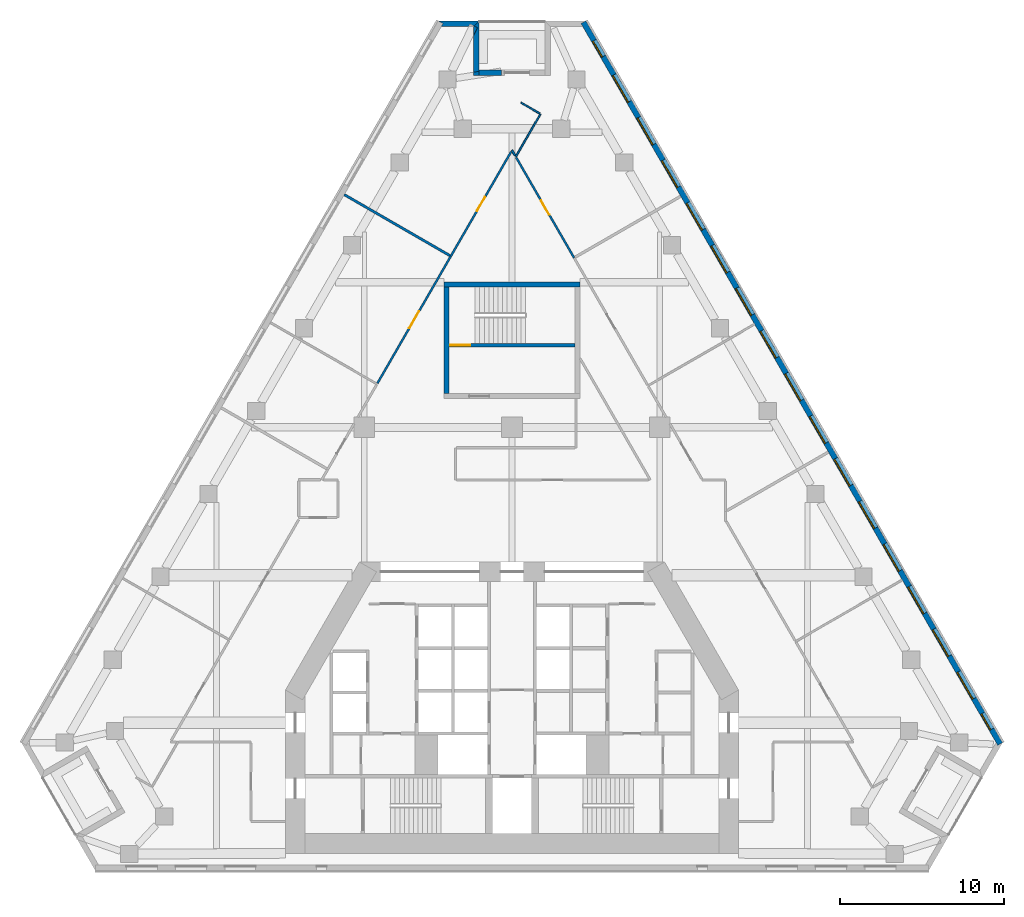
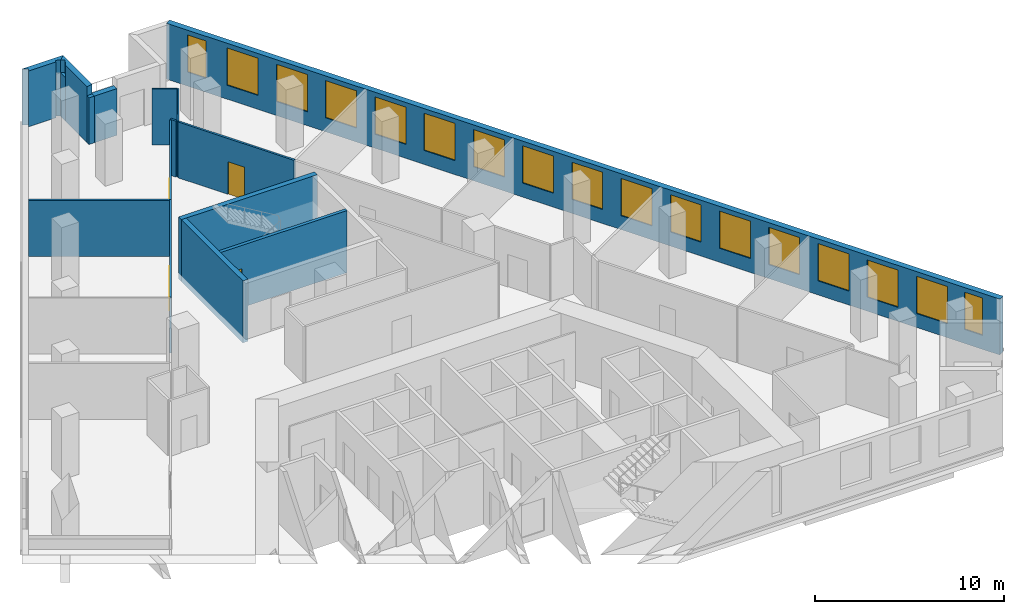
# One storey, part 8 of 10: 17 windows, 16 walls, 4 doors, 21 openings.
"""IFC4 building model written with IfcOpenShell, lengths in metres."""

from ifc_helpers import new_model, si_unit, direction, frame, frame_2d, origin, place, context, subcontext, project, spatial, polyline, rectangle, outline, extrude, material, layer, layer_set, type_object, element, fill, save


model = new_model("IFC4")

# Units and contexts
model_context = context("Model", 3, precision=1e-05, world=origin(), true_north=direction((0.0, 1.0)))
body_context = subcontext(model_context, "Body", "Model", "MODEL_VIEW")
ifc_project = project(units=[si_unit("LENGTHUNIT", "METRE"), si_unit("AREAUNIT", "SQUARE_METRE"), si_unit("VOLUMEUNIT", "CUBIC_METRE"), si_unit("PLANEANGLEUNIT", "RADIAN"), si_unit("MASSUNIT", "GRAM", prefix="KILO")], contexts=[model_context])

# Site, building, storey
site_placement = place(None, origin())
site = spatial("IfcSite", under=ifc_project, at=site_placement, CompositionType="ELEMENT")
building_placement = place(site_placement, origin())
building = spatial("IfcBuilding", under=site, at=building_placement, Name="Fogline Exchange Tower", CompositionType="ELEMENT")
storey_placement = place(building_placement, frame((0.0, 0.0, 124.10009765625)))
storey = spatial("IfcBuildingStorey", under=building, at=storey_placement, Name="L27", CompositionType="ELEMENT", Elevation=124.10009765625)

# Wall, opening, door
ifc_material_1 = material(Name="Concrete C40", Category="concrete")
ifc_layer_1 = layer(ifc_material_1, 0.199951171875)
ifc_layer_set_1 = layer_set([ifc_layer_1], Name="CW20R")
wall_type_1 = type_object("IfcWallType", Name="CW20R", PredefinedType="SOLIDWALL", material=ifc_layer_set_1)
wall_1_placement = place(storey_placement, frame((-3.85009765625, 32.007080078125, -0.400146484375), z_axis=(0.0, 0.0, 1.0), x_axis=(1.0, 0.0, 0.0)))
wall_1 = element("IfcWall", 1, at=wall_1_placement, inside=storey, type_object=wall_type_1, Name="Stair enclosure wall ST3", PredefinedType="SOLIDWALL", context=body_context, shape_type="SweptSolid", body=[
    extrude(rectangle(XDim=7.7001953125, YDim=0.199951171875, at=frame_2d((3.85009765625, 0.0))), origin(), (0.0, 0.0, 1.0), 4.0),
])
opening_1_placement = place(wall_1_placement, frame((0.10009765625, 0.0, 0.39990234375)))
opening_1 = element("IfcOpeningElement", 2, at=opening_1_placement, cuts=wall_1, Name="Opening T08-C024", PredefinedType="OPENING", context=body_context, shape_type="SweptSolid", body=[
    extrude(rectangle(XDim=1.199951171875, YDim=2.10009765625, at=frame_2d((0.60009765625, 1.050048828125))), frame((0.0, 0.10986328125, 0.0), z_axis=(0.0, -1.0, 0.0), x_axis=(1.0, 0.0, 0.0)), (0.0, 0.0, 1.0), 0.219970703125),
])
ifc_material_2 = material(Name="Steel and timber fire door", Category="steel")
door_type_1 = type_object("IfcDoorType", Name="D-ST1", OperationType="SINGLE_SWING_LEFT", PredefinedType="DOOR", material=ifc_material_2)
door_1_placement = place(opening_1_placement, origin())
door_1 = element("IfcDoor", 3, at=door_1_placement, inside=storey, type_object=door_type_1, Name="Stair door ST3", OperationType="SINGLE_SWING_LEFT", OverallHeight=2.10009765625, OverallWidth=1.199951171875, PredefinedType="DOOR", context=body_context, shape_type="SweptSolid", body=[
    extrude(rectangle(XDim=1.199951171875, YDim=2.10009765625, at=frame_2d((0.60009765625, 1.050048828125))), frame((0.0, 0.02490234375, 0.0), z_axis=(0.0, -1.0, 0.0), x_axis=(1.0, 0.0, 0.0)), (0.0, 0.0, 1.0), 0.050048828125),
])
fill(opening_1, door_1)

# Walls
ifc_layer_2 = layer(ifc_material_1, 0.300048828125)
ifc_layer_set_2 = layer_set([ifc_layer_2], Name="CW30")
wall_type_2 = type_object("IfcWallType", Name="CW30", PredefinedType="SOLIDWALL", material=ifc_layer_set_2)
wall_2_placement = place(storey_placement, frame((-4.14990234375, 35.70703125, -0.400146484375), z_axis=(0.0, 0.0, 1.0), x_axis=(1.0, 0.0, 0.0)))
element("IfcWall", 4, at=wall_2_placement, inside=storey, type_object=wall_type_2, Name="Stair enclosure wall ST3", PredefinedType="SOLIDWALL", context=body_context, shape_type="SweptSolid", body=[
    extrude(rectangle(XDim=8.2998046875, YDim=0.300048828125, at=frame_2d((4.14990234375, 0.0))), origin(), (0.0, 0.0, 1.0), 4.0),
])
wall_3_placement = place(storey_placement, frame((-4.0, 29.056884765625, -0.400146484375), z_axis=(0.0, 0.0, 1.0), x_axis=(0.0, 1.0, 0.0)))
element("IfcWall", 5, at=wall_3_placement, inside=storey, type_object=wall_type_2, Name="Stair enclosure wall ST3", PredefinedType="SOLIDWALL", context=body_context, shape_type="SweptSolid", body=[
    extrude(rectangle(XDim=6.5, YDim=0.300048828125, at=frame_2d((3.25, 0.0))), origin(), (0.0, 0.0, 1.0), 4.0),
])

# Wall, openings, windows
ifc_material_3 = material(Name="Brick masonry", Category="masonry")
ifc_layer_3 = layer(ifc_material_3, 0.340087890625)
ifc_layer_set_3 = layer_set([ifc_layer_3], Name="FW1")
wall_type_3 = type_object("IfcWallType", Name="FW1", PredefinedType="SOLIDWALL", material=ifc_layer_set_3)
wall_4_placement = place(storey_placement, frame((29.74609375, 7.709228515625, 0.0), z_axis=(0.0, 0.0, 1.0), x_axis=(-0.500000700546, 0.866024999324, 0.0)))
wall_4 = element("IfcWall", 6, at=wall_4_placement, inside=storey, type_object=wall_type_3, Name="Brick wall L27 E", PredefinedType="SOLIDWALL", context=body_context, shape_type="SweptSolid", body=[
    extrude(rectangle(XDim=50.78662109375, YDim=0.340087890625, at=frame_2d((25.393310546875, 0.0))), origin(), (0.0, 0.0, 1.0), 3.599853515625),
])
opening_2_placement = place(wall_4_placement, frame((3.196533203125, 0.0, 0.89990234375)))
opening_2 = element("IfcOpeningElement", 7, at=opening_2_placement, cuts=wall_4, Name="Opening W1", PredefinedType="OPENING", context=body_context, shape_type="SweptSolid", body=[
    extrude(rectangle(XDim=1.885009765625, YDim=2.39990234375, at=frame_2d((0.9423828125, 1.199951171875))), frame((0.0, 0.18017578125, 0.0), z_axis=(0.0, -1.0, 0.0), x_axis=(1.0, 0.0, 0.0)), (0.0, 0.0, 1.0), 0.360107421875),
])
opening_3_placement = place(wall_4_placement, frame((6.196533203125, 0.0, 0.89990234375)))
opening_3 = element("IfcOpeningElement", 8, at=opening_3_placement, cuts=wall_4, Name="Opening W1", PredefinedType="OPENING", context=body_context, shape_type="SweptSolid", body=[
    extrude(rectangle(XDim=1.885009765625, YDim=2.39990234375, at=frame_2d((0.9423828125, 1.199951171875))), frame((0.0, 0.18017578125, 0.0), z_axis=(0.0, -1.0, 0.0), x_axis=(1.0, 0.0, 0.0)), (0.0, 0.0, 1.0), 0.360107421875),
])
opening_4_placement = place(wall_4_placement, frame((9.196533203125, 0.0, 0.89990234375)))
opening_4 = element("IfcOpeningElement", 9, at=opening_4_placement, cuts=wall_4, Name="Opening W1", PredefinedType="OPENING", context=body_context, shape_type="SweptSolid", body=[
    extrude(rectangle(XDim=1.885009765625, YDim=2.39990234375, at=frame_2d((0.9423828125, 1.199951171875))), frame((0.0, 0.18017578125, 0.0), z_axis=(0.0, -1.0, 0.0), x_axis=(1.0, 0.0, 0.0)), (0.0, 0.0, 1.0), 0.360107421875),
])
opening_5_placement = place(wall_4_placement, frame((12.196533203125, 0.0, 0.89990234375)))
opening_5 = element("IfcOpeningElement", 10, at=opening_5_placement, cuts=wall_4, Name="Opening W1", PredefinedType="OPENING", context=body_context, shape_type="SweptSolid", body=[
    extrude(rectangle(XDim=1.885009765625, YDim=2.39990234375, at=frame_2d((0.9423828125, 1.199951171875))), frame((0.0, 0.18017578125, 0.0), z_axis=(0.0, -1.0, 0.0), x_axis=(1.0, 0.0, 0.0)), (0.0, 0.0, 1.0), 0.360107421875),
])
opening_6_placement = place(wall_4_placement, frame((15.196533203125, 0.0, 0.89990234375)))
opening_6 = element("IfcOpeningElement", 11, at=opening_6_placement, cuts=wall_4, Name="Opening W1", PredefinedType="OPENING", context=body_context, shape_type="SweptSolid", body=[
    extrude(rectangle(XDim=1.885009765625, YDim=2.39990234375, at=frame_2d((0.9423828125, 1.199951171875))), frame((0.0, 0.18017578125, 0.0), z_axis=(0.0, -1.0, 0.0), x_axis=(1.0, 0.0, 0.0)), (0.0, 0.0, 1.0), 0.360107421875),
])
opening_7_placement = place(wall_4_placement, frame((18.196533203125, 0.0, 0.89990234375)))
opening_7 = element("IfcOpeningElement", 12, at=opening_7_placement, cuts=wall_4, Name="Opening W1", PredefinedType="OPENING", context=body_context, shape_type="SweptSolid", body=[
    extrude(rectangle(XDim=1.885009765625, YDim=2.39990234375, at=frame_2d((0.9423828125, 1.199951171875))), frame((0.0, 0.18017578125, 0.0), z_axis=(0.0, -1.0, 0.0), x_axis=(1.0, 0.0, 0.0)), (0.0, 0.0, 1.0), 0.360107421875),
])
opening_8_placement = place(wall_4_placement, frame((21.196533203125, 0.0, 0.89990234375)))
opening_8 = element("IfcOpeningElement", 13, at=opening_8_placement, cuts=wall_4, Name="Opening W1", PredefinedType="OPENING", context=body_context, shape_type="SweptSolid", body=[
    extrude(rectangle(XDim=1.885009765625, YDim=2.39990234375, at=frame_2d((0.9423828125, 1.199951171875))), frame((0.0, 0.18017578125, 0.0), z_axis=(0.0, -1.0, 0.0), x_axis=(1.0, 0.0, 0.0)), (0.0, 0.0, 1.0), 0.360107421875),
])
opening_9_placement = place(wall_4_placement, frame((24.196533203125, 0.0, 0.89990234375)))
opening_9 = element("IfcOpeningElement", 14, at=opening_9_placement, cuts=wall_4, Name="Opening W1", PredefinedType="OPENING", context=body_context, shape_type="SweptSolid", body=[
    extrude(rectangle(XDim=1.885009765625, YDim=2.39990234375, at=frame_2d((0.9423828125, 1.199951171875))), frame((0.0, 0.18017578125, 0.0), z_axis=(0.0, -1.0, 0.0), x_axis=(1.0, 0.0, 0.0)), (0.0, 0.0, 1.0), 0.360107421875),
])
opening_10_placement = place(wall_4_placement, frame((27.196533203125, 0.0, 0.89990234375)))
opening_10 = element("IfcOpeningElement", 15, at=opening_10_placement, cuts=wall_4, Name="Opening W1", PredefinedType="OPENING", context=body_context, shape_type="SweptSolid", body=[
    extrude(rectangle(XDim=1.885009765625, YDim=2.39990234375, at=frame_2d((0.9423828125, 1.199951171875))), frame((0.0, 0.18017578125, 0.0), z_axis=(0.0, -1.0, 0.0), x_axis=(1.0, 0.0, 0.0)), (0.0, 0.0, 1.0), 0.360107421875),
])
opening_11_placement = place(wall_4_placement, frame((30.196533203125, 0.0, 0.89990234375)))
opening_11 = element("IfcOpeningElement", 16, at=opening_11_placement, cuts=wall_4, Name="Opening W1", PredefinedType="OPENING", context=body_context, shape_type="SweptSolid", body=[
    extrude(rectangle(XDim=1.885009765625, YDim=2.39990234375, at=frame_2d((0.9423828125, 1.199951171875))), frame((0.0, 0.18017578125, 0.0), z_axis=(0.0, -1.0, 0.0), x_axis=(1.0, 0.0, 0.0)), (0.0, 0.0, 1.0), 0.360107421875),
])
opening_12_placement = place(wall_4_placement, frame((33.196533203125, 0.0, 0.89990234375)))
opening_12 = element("IfcOpeningElement", 17, at=opening_12_placement, cuts=wall_4, Name="Opening W1", PredefinedType="OPENING", context=body_context, shape_type="SweptSolid", body=[
    extrude(rectangle(XDim=1.885009765625, YDim=2.39990234375, at=frame_2d((0.9423828125, 1.199951171875))), frame((0.0, 0.18017578125, 0.0), z_axis=(0.0, -1.0, 0.0), x_axis=(1.0, 0.0, 0.0)), (0.0, 0.0, 1.0), 0.360107421875),
])
opening_13_placement = place(wall_4_placement, frame((36.196533203125, 0.0, 0.89990234375)))
opening_13 = element("IfcOpeningElement", 18, at=opening_13_placement, cuts=wall_4, Name="Opening W1", PredefinedType="OPENING", context=body_context, shape_type="SweptSolid", body=[
    extrude(rectangle(XDim=1.885009765625, YDim=2.39990234375, at=frame_2d((0.9423828125, 1.199951171875))), frame((0.0, 0.18017578125, 0.0), z_axis=(0.0, -1.0, 0.0), x_axis=(1.0, 0.0, 0.0)), (0.0, 0.0, 1.0), 0.360107421875),
])
opening_14_placement = place(wall_4_placement, frame((39.196533203125, 0.0, 0.89990234375)))
opening_14 = element("IfcOpeningElement", 19, at=opening_14_placement, cuts=wall_4, Name="Opening W1", PredefinedType="OPENING", context=body_context, shape_type="SweptSolid", body=[
    extrude(rectangle(XDim=1.885009765625, YDim=2.39990234375, at=frame_2d((0.9423828125, 1.199951171875))), frame((0.0, 0.18017578125, 0.0), z_axis=(0.0, -1.0, 0.0), x_axis=(1.0, 0.0, 0.0)), (0.0, 0.0, 1.0), 0.360107421875),
])
opening_15_placement = place(wall_4_placement, frame((42.196533203125, 0.0, 0.89990234375)))
opening_15 = element("IfcOpeningElement", 20, at=opening_15_placement, cuts=wall_4, Name="Opening W1", PredefinedType="OPENING", context=body_context, shape_type="SweptSolid", body=[
    extrude(rectangle(XDim=1.885009765625, YDim=2.39990234375, at=frame_2d((0.9423828125, 1.199951171875))), frame((0.0, 0.18017578125, 0.0), z_axis=(0.0, -1.0, 0.0), x_axis=(1.0, 0.0, 0.0)), (0.0, 0.0, 1.0), 0.360107421875),
])
opening_16_placement = place(wall_4_placement, frame((45.196533203125, 0.0, 0.89990234375)))
opening_16 = element("IfcOpeningElement", 21, at=opening_16_placement, cuts=wall_4, Name="Opening W1", PredefinedType="OPENING", context=body_context, shape_type="SweptSolid", body=[
    extrude(rectangle(XDim=1.885009765625, YDim=2.39990234375, at=frame_2d((0.9423828125, 1.199951171875))), frame((0.0, 0.18017578125, 0.0), z_axis=(0.0, -1.0, 0.0), x_axis=(1.0, 0.0, 0.0)), (0.0, 0.0, 1.0), 0.360107421875),
])
opening_17_placement = place(wall_4_placement, frame((1.040771484375, 0.0, 0.89990234375)))
opening_17 = element("IfcOpeningElement", 22, at=opening_17_placement, cuts=wall_4, Name="Opening W4", PredefinedType="OPENING", context=body_context, shape_type="SweptSolid", body=[
    extrude(rectangle(XDim=1.114990234375, YDim=2.39990234375, at=frame_2d((0.5576171875, 1.199951171875))), frame((0.0, 0.18017578125, 0.0), z_axis=(0.0, -1.0, 0.0), x_axis=(1.0, 0.0, 0.0)), (0.0, 0.0, 1.0), 0.360107421875),
])
opening_18_placement = place(wall_4_placement, frame((48.37646484375, 0.0, 0.89990234375)))
opening_18 = element("IfcOpeningElement", 23, at=opening_18_placement, cuts=wall_4, Name="Opening W4", PredefinedType="OPENING", context=body_context, shape_type="SweptSolid", body=[
    extrude(rectangle(XDim=1.114990234375, YDim=2.39990234375, at=frame_2d((0.5576171875, 1.199951171875))), frame((0.0, 0.18017578125, 0.0), z_axis=(0.0, -1.0, 0.0), x_axis=(1.0, 0.0, 0.0)), (0.0, 0.0, 1.0), 0.360107421875),
])
ifc_material_4 = material(Name="Aluminium and glass", Category="aluminium")
window_type_1 = type_object("IfcWindowType", Name="W1", PartitioningType="SINGLE_PANEL", PredefinedType="WINDOW", material=ifc_material_4)
window_1_placement = place(opening_2_placement, origin())
window_1 = element("IfcWindow", 24, at=window_1_placement, inside=storey, type_object=window_type_1, Name="W1 W1", OverallHeight=2.39990234375, OverallWidth=1.885009765625, PartitioningType="SINGLE_PANEL", PredefinedType="WINDOW", context=body_context, shape_type="SweptSolid", body=[
    extrude(rectangle(XDim=1.885009765625, YDim=2.39990234375, at=frame_2d((0.9423828125, 1.199951171875))), frame((0.0, 0.110107421875, 0.0), z_axis=(0.0, -1.0, 0.0), x_axis=(1.0, 0.0, 0.0)), (0.0, 0.0, 1.0), 0.06005859375),
])
fill(opening_2, window_1)
window_2_placement = place(opening_3_placement, origin())
window_2 = element("IfcWindow", 25, at=window_2_placement, inside=storey, type_object=window_type_1, Name="W1 W1", OverallHeight=2.39990234375, OverallWidth=1.885009765625, PartitioningType="SINGLE_PANEL", PredefinedType="WINDOW", context=body_context, shape_type="SweptSolid", body=[
    extrude(rectangle(XDim=1.885009765625, YDim=2.39990234375, at=frame_2d((0.9423828125, 1.199951171875))), frame((0.0, 0.110107421875, 0.0), z_axis=(0.0, -1.0, 0.0), x_axis=(1.0, 0.0, 0.0)), (0.0, 0.0, 1.0), 0.06005859375),
])
fill(opening_3, window_2)
window_3_placement = place(opening_4_placement, origin())
window_3 = element("IfcWindow", 26, at=window_3_placement, inside=storey, type_object=window_type_1, Name="W1 W1", OverallHeight=2.39990234375, OverallWidth=1.885009765625, PartitioningType="SINGLE_PANEL", PredefinedType="WINDOW", context=body_context, shape_type="SweptSolid", body=[
    extrude(rectangle(XDim=1.885009765625, YDim=2.39990234375, at=frame_2d((0.9423828125, 1.199951171875))), frame((0.0, 0.110107421875, 0.0), z_axis=(0.0, -1.0, 0.0), x_axis=(1.0, 0.0, 0.0)), (0.0, 0.0, 1.0), 0.06005859375),
])
fill(opening_4, window_3)
window_4_placement = place(opening_5_placement, origin())
window_4 = element("IfcWindow", 27, at=window_4_placement, inside=storey, type_object=window_type_1, Name="W1 W1", OverallHeight=2.39990234375, OverallWidth=1.885009765625, PartitioningType="SINGLE_PANEL", PredefinedType="WINDOW", context=body_context, shape_type="SweptSolid", body=[
    extrude(rectangle(XDim=1.885009765625, YDim=2.39990234375, at=frame_2d((0.9423828125, 1.199951171875))), frame((0.0, 0.110107421875, 0.0), z_axis=(0.0, -1.0, 0.0), x_axis=(1.0, 0.0, 0.0)), (0.0, 0.0, 1.0), 0.06005859375),
])
fill(opening_5, window_4)
window_5_placement = place(opening_6_placement, origin())
window_5 = element("IfcWindow", 28, at=window_5_placement, inside=storey, type_object=window_type_1, Name="W1 W1", OverallHeight=2.39990234375, OverallWidth=1.885009765625, PartitioningType="SINGLE_PANEL", PredefinedType="WINDOW", context=body_context, shape_type="SweptSolid", body=[
    extrude(rectangle(XDim=1.885009765625, YDim=2.39990234375, at=frame_2d((0.9423828125, 1.199951171875))), frame((0.0, 0.110107421875, 0.0), z_axis=(0.0, -1.0, 0.0), x_axis=(1.0, 0.0, 0.0)), (0.0, 0.0, 1.0), 0.06005859375),
])
fill(opening_6, window_5)
window_6_placement = place(opening_7_placement, origin())
window_6 = element("IfcWindow", 29, at=window_6_placement, inside=storey, type_object=window_type_1, Name="W1 W1", OverallHeight=2.39990234375, OverallWidth=1.885009765625, PartitioningType="SINGLE_PANEL", PredefinedType="WINDOW", context=body_context, shape_type="SweptSolid", body=[
    extrude(rectangle(XDim=1.885009765625, YDim=2.39990234375, at=frame_2d((0.9423828125, 1.199951171875))), frame((0.0, 0.110107421875, 0.0), z_axis=(0.0, -1.0, 0.0), x_axis=(1.0, 0.0, 0.0)), (0.0, 0.0, 1.0), 0.06005859375),
])
fill(opening_7, window_6)
window_7_placement = place(opening_8_placement, origin())
window_7 = element("IfcWindow", 30, at=window_7_placement, inside=storey, type_object=window_type_1, Name="W1 W1", OverallHeight=2.39990234375, OverallWidth=1.885009765625, PartitioningType="SINGLE_PANEL", PredefinedType="WINDOW", context=body_context, shape_type="SweptSolid", body=[
    extrude(rectangle(XDim=1.885009765625, YDim=2.39990234375, at=frame_2d((0.9423828125, 1.199951171875))), frame((0.0, 0.110107421875, 0.0), z_axis=(0.0, -1.0, 0.0), x_axis=(1.0, 0.0, 0.0)), (0.0, 0.0, 1.0), 0.06005859375),
])
fill(opening_8, window_7)
window_8_placement = place(opening_9_placement, origin())
window_8 = element("IfcWindow", 31, at=window_8_placement, inside=storey, type_object=window_type_1, Name="W1 W1", OverallHeight=2.39990234375, OverallWidth=1.885009765625, PartitioningType="SINGLE_PANEL", PredefinedType="WINDOW", context=body_context, shape_type="SweptSolid", body=[
    extrude(rectangle(XDim=1.885009765625, YDim=2.39990234375, at=frame_2d((0.9423828125, 1.199951171875))), frame((0.0, 0.110107421875, 0.0), z_axis=(0.0, -1.0, 0.0), x_axis=(1.0, 0.0, 0.0)), (0.0, 0.0, 1.0), 0.06005859375),
])
fill(opening_9, window_8)
window_9_placement = place(opening_10_placement, origin())
window_9 = element("IfcWindow", 32, at=window_9_placement, inside=storey, type_object=window_type_1, Name="W1 W1", OverallHeight=2.39990234375, OverallWidth=1.885009765625, PartitioningType="SINGLE_PANEL", PredefinedType="WINDOW", context=body_context, shape_type="SweptSolid", body=[
    extrude(rectangle(XDim=1.885009765625, YDim=2.39990234375, at=frame_2d((0.9423828125, 1.199951171875))), frame((0.0, 0.110107421875, 0.0), z_axis=(0.0, -1.0, 0.0), x_axis=(1.0, 0.0, 0.0)), (0.0, 0.0, 1.0), 0.06005859375),
])
fill(opening_10, window_9)
window_10_placement = place(opening_11_placement, origin())
window_10 = element("IfcWindow", 33, at=window_10_placement, inside=storey, type_object=window_type_1, Name="W1 W1", OverallHeight=2.39990234375, OverallWidth=1.885009765625, PartitioningType="SINGLE_PANEL", PredefinedType="WINDOW", context=body_context, shape_type="SweptSolid", body=[
    extrude(rectangle(XDim=1.885009765625, YDim=2.39990234375, at=frame_2d((0.9423828125, 1.199951171875))), frame((0.0, 0.110107421875, 0.0), z_axis=(0.0, -1.0, 0.0), x_axis=(1.0, 0.0, 0.0)), (0.0, 0.0, 1.0), 0.06005859375),
])
fill(opening_11, window_10)
window_11_placement = place(opening_12_placement, origin())
window_11 = element("IfcWindow", 34, at=window_11_placement, inside=storey, type_object=window_type_1, Name="W1 W1", OverallHeight=2.39990234375, OverallWidth=1.885009765625, PartitioningType="SINGLE_PANEL", PredefinedType="WINDOW", context=body_context, shape_type="SweptSolid", body=[
    extrude(rectangle(XDim=1.885009765625, YDim=2.39990234375, at=frame_2d((0.9423828125, 1.199951171875))), frame((0.0, 0.110107421875, 0.0), z_axis=(0.0, -1.0, 0.0), x_axis=(1.0, 0.0, 0.0)), (0.0, 0.0, 1.0), 0.06005859375),
])
fill(opening_12, window_11)
window_12_placement = place(opening_13_placement, origin())
window_12 = element("IfcWindow", 35, at=window_12_placement, inside=storey, type_object=window_type_1, Name="W1 W1", OverallHeight=2.39990234375, OverallWidth=1.885009765625, PartitioningType="SINGLE_PANEL", PredefinedType="WINDOW", context=body_context, shape_type="SweptSolid", body=[
    extrude(rectangle(XDim=1.885009765625, YDim=2.39990234375, at=frame_2d((0.9423828125, 1.199951171875))), frame((0.0, 0.110107421875, 0.0), z_axis=(0.0, -1.0, 0.0), x_axis=(1.0, 0.0, 0.0)), (0.0, 0.0, 1.0), 0.06005859375),
])
fill(opening_13, window_12)
window_13_placement = place(opening_14_placement, origin())
window_13 = element("IfcWindow", 36, at=window_13_placement, inside=storey, type_object=window_type_1, Name="W1 W1", OverallHeight=2.39990234375, OverallWidth=1.885009765625, PartitioningType="SINGLE_PANEL", PredefinedType="WINDOW", context=body_context, shape_type="SweptSolid", body=[
    extrude(rectangle(XDim=1.885009765625, YDim=2.39990234375, at=frame_2d((0.9423828125, 1.199951171875))), frame((0.0, 0.110107421875, 0.0), z_axis=(0.0, -1.0, 0.0), x_axis=(1.0, 0.0, 0.0)), (0.0, 0.0, 1.0), 0.06005859375),
])
fill(opening_14, window_13)
window_14_placement = place(opening_15_placement, origin())
window_14 = element("IfcWindow", 37, at=window_14_placement, inside=storey, type_object=window_type_1, Name="W1 W1", OverallHeight=2.39990234375, OverallWidth=1.885009765625, PartitioningType="SINGLE_PANEL", PredefinedType="WINDOW", context=body_context, shape_type="SweptSolid", body=[
    extrude(rectangle(XDim=1.885009765625, YDim=2.39990234375, at=frame_2d((0.9423828125, 1.199951171875))), frame((0.0, 0.110107421875, 0.0), z_axis=(0.0, -1.0, 0.0), x_axis=(1.0, 0.0, 0.0)), (0.0, 0.0, 1.0), 0.06005859375),
])
fill(opening_15, window_14)
window_15_placement = place(opening_16_placement, origin())
window_15 = element("IfcWindow", 38, at=window_15_placement, inside=storey, type_object=window_type_1, Name="W1 W1", OverallHeight=2.39990234375, OverallWidth=1.885009765625, PartitioningType="SINGLE_PANEL", PredefinedType="WINDOW", context=body_context, shape_type="SweptSolid", body=[
    extrude(rectangle(XDim=1.885009765625, YDim=2.39990234375, at=frame_2d((0.9423828125, 1.199951171875))), frame((0.0, 0.110107421875, 0.0), z_axis=(0.0, -1.0, 0.0), x_axis=(1.0, 0.0, 0.0)), (0.0, 0.0, 1.0), 0.06005859375),
])
fill(opening_16, window_15)
window_type_2 = type_object("IfcWindowType", Name="W4", PartitioningType="SINGLE_PANEL", PredefinedType="WINDOW", material=ifc_material_4)
window_16_placement = place(opening_17_placement, origin())
window_16 = element("IfcWindow", 39, at=window_16_placement, inside=storey, type_object=window_type_2, Name="W4 W4", OverallHeight=2.39990234375, OverallWidth=1.114990234375, PartitioningType="SINGLE_PANEL", PredefinedType="WINDOW", context=body_context, shape_type="SweptSolid", body=[
    extrude(rectangle(XDim=1.114990234375, YDim=2.39990234375, at=frame_2d((0.5576171875, 1.199951171875))), frame((0.0, 0.110107421875, 0.0), z_axis=(0.0, -1.0, 0.0), x_axis=(1.0, 0.0, 0.0)), (0.0, 0.0, 1.0), 0.06005859375),
])
fill(opening_17, window_16)
window_17_placement = place(opening_18_placement, origin())
window_17 = element("IfcWindow", 40, at=window_17_placement, inside=storey, type_object=window_type_2, Name="W4 W4", OverallHeight=2.39990234375, OverallWidth=1.114990234375, PartitioningType="SINGLE_PANEL", PredefinedType="WINDOW", context=body_context, shape_type="SweptSolid", body=[
    extrude(rectangle(XDim=1.114990234375, YDim=2.39990234375, at=frame_2d((0.5576171875, 1.199951171875))), frame((0.0, 0.110107421875, 0.0), z_axis=(0.0, -1.0, 0.0), x_axis=(1.0, 0.0, 0.0)), (0.0, 0.0, 1.0), 0.06005859375),
])
fill(opening_18, window_17)

# Walls
wall_5_placement = place(storey_placement, frame((-0.64404296875, 48.606689453125, 0.0), z_axis=(0.0, 0.0, 1.0), x_axis=(-1.0, 0.0, 0.0)))
element("IfcWall", 41, at=wall_5_placement, inside=storey, type_object=wall_type_3, Name="Brick wall L27 N-bk", PredefinedType="SOLIDWALL", context=body_context, shape_type="SweptSolid", body=[
    extrude(rectangle(XDim=1.35595703125, YDim=0.340087890625, at=frame_2d((0.677978515625, 0.0))), origin(), (0.0, 0.0, 1.0), 3.0),
])
wall_6_placement = place(storey_placement, origin())
element("IfcWall", 42, at=wall_6_placement, inside=storey, type_object=wall_type_3, Name="Brick wall L27 N-s2", PredefinedType="SOLIDWALL", context=body_context, shape_type="SweptSolid", body=[
    extrude(outline(polyline([(-2.340576171875, 51.43701171875), (-2.320556640625, 51.45703125), (-2.114990234375, 51.357421875), (-2.340576171875, 50.891357421875), (-2.340576171875, 51.43701171875)])), origin(), (0.0, 0.0, 1.0), 2.7998046875),
])
wall_7_placement = place(storey_placement, origin())
element("IfcWall", 43, at=wall_7_placement, inside=storey, type_object=wall_type_3, Name="Brick wall L27 N-s2", PredefinedType="SOLIDWALL", context=body_context, shape_type="SweptSolid", body=[
    extrude(outline(polyline([(-2.340576171875, 48.43603515625), (-2.340576171875, 48.644287109375), (-1.99951171875, 48.697265625), (-1.99951171875, 48.43603515625), (-2.340576171875, 48.43603515625)])), origin(), (0.0, 0.0, 1.0), 3.0),
])
wall_8_placement = place(storey_placement, origin())
element("IfcWall", 44, at=wall_8_placement, inside=storey, type_object=wall_type_3, Name="Brick wall L27 N-s2", PredefinedType="SOLIDWALL", context=body_context, shape_type="SweptSolid", body=[
    extrude(outline(polyline([(-2.340576171875, 50.891357421875), (-2.114990234375, 51.357421875), (-2.320556640625, 51.45703125), (-1.999755859375, 51.77783203125), (-1.99951171875, 51.777587890625), (-1.99951171875, 48.697265625), (-2.340576171875, 48.644287109375), (-2.340576171875, 50.891357421875)])), origin(), (0.0, 0.0, 1.0), 3.599853515625),
])
wall_9_placement = place(storey_placement, origin())
element("IfcWall", 45, at=wall_9_placement, inside=storey, type_object=wall_type_3, Name="Brick wall L27 N-c2", PredefinedType="SOLIDWALL", context=body_context, shape_type="SweptSolid", body=[
    extrude(outline(polyline([(-4.206298828125, 51.6064453125), (-4.501220703125, 51.776611328125), (-4.5009765625, 51.77734375), (-1.9990234375, 51.77734375), (-1.998779296875, 51.77685546875), (-2.3193359375, 51.456298828125), (-2.56494140625, 51.5751953125), (-2.63232421875, 51.43603515625), (-4.3046875, 51.43603515625), (-4.206298828125, 51.6064453125)])), origin(), (0.0, 0.0, 1.0), 3.599853515625),
])
ifc_material_5 = material(Name="Plasterboard partition, 2 layers each side on steel studs", Category="steel")
ifc_layer_4 = layer(ifc_material_5, 0.10009765625)
ifc_layer_set_4 = layer_set([ifc_layer_4], Name="PW1")
wall_type_4 = type_object("IfcWallType", Name="PW1", PredefinedType="PARTITIONING", material=ifc_layer_set_4)
wall_10_placement = place(storey_placement, frame((0.23095703125, 43.490966796875, 0.0), z_axis=(0.0, 0.0, 1.0), x_axis=(0.499979445284, 0.86603727073, 0.0)))
element("IfcWall", 46, at=wall_10_placement, inside=storey, type_object=wall_type_4, Name="wall-L27-W037", PredefinedType="PARTITIONING", context=body_context, shape_type="SweptSolid", body=[
    extrude(rectangle(XDim=3.015380859375, YDim=0.10009765625, at=frame_2d((1.5078125, 0.0))), origin(), (0.0, 0.0, 1.0), 3.599853515625),
])
wall_11_placement = place(storey_placement, frame((1.6953125, 46.127197265625, 0.0), z_axis=(0.0, 0.0, 1.0), x_axis=(-0.866059217203, 0.499941428866, 0.0)))
element("IfcWall", 47, at=wall_11_placement, inside=storey, type_object=wall_type_4, Name="wall-L27-W038", PredefinedType="PARTITIONING", context=body_context, shape_type="SweptSolid", body=[
    extrude(rectangle(XDim=1.319091796875, YDim=0.10009765625, at=frame_2d((0.65966796875, 0.0))), origin(), (0.0, 0.0, 1.0), 3.599853515625),
])

# Wall, opening, door
ifc_material_6 = material(Name="Plasterboard corridor partition with mineral wool, 2 layers each side")
ifc_layer_5 = layer(ifc_material_6, 0.125)
ifc_layer_set_5 = layer_set([ifc_layer_5], Name="PW2")
wall_type_5 = type_object("IfcWallType", Name="PW2", PredefinedType="PARTITIONING", material=ifc_layer_set_5)
wall_12_placement = place(storey_placement, frame((0.252685546875, 43.452880859375, 0.0), z_axis=(0.0, 0.0, 1.0), x_axis=(0.500031657121, -0.866007125766, 0.0)))
wall_12 = element("IfcWall", 48, at=wall_12_placement, inside=storey, type_object=wall_type_5, Name="wall-L27-W015", PredefinedType="PARTITIONING", context=body_context, shape_type="SweptSolid", body=[
    extrude(rectangle(XDim=7.0625, YDim=0.125, at=frame_2d((3.53125, 0.0))), origin(), (0.0, 0.0, 1.0), 3.599853515625),
])
opening_19_placement = place(wall_12_placement, frame((3.03125, 0.0, 0.0)))
opening_19 = element("IfcOpeningElement", 49, at=opening_19_placement, cuts=wall_12, Name="Opening T08-D007", PredefinedType="OPENING", context=body_context, shape_type="SweptSolid", body=[
    extrude(rectangle(XDim=1.0, YDim=2.10009765625, at=frame_2d((0.5, 1.050048828125))), frame((0.0, 0.072509765625, 0.0), z_axis=(0.0, -1.0, 0.0), x_axis=(1.0, 0.0, 0.0)), (0.0, 0.0, 1.0), 0.14501953125),
])
ifc_material_7 = material(Name="Fire-rated timber door leaf with steel frame", Category="steel")
door_type_2 = type_object("IfcDoorType", Name="D3", OperationType="SINGLE_SWING_LEFT", PredefinedType="DOOR", material=ifc_material_7)
door_2_placement = place(opening_19_placement, origin())
door_2 = element("IfcDoor", 50, at=door_2_placement, inside=storey, type_object=door_type_2, Name="door-L27-D007", OperationType="SINGLE_SWING_RIGHT", OverallHeight=2.10009765625, OverallWidth=1.0, PredefinedType="DOOR", context=body_context, shape_type="SweptSolid", body=[
    extrude(rectangle(XDim=1.0, YDim=2.10009765625, at=frame_2d((0.5, 1.050048828125))), frame((0.0, 0.02490234375, 0.0), z_axis=(0.0, -1.0, 0.0), x_axis=(1.0, 0.0, 0.0)), (0.0, 0.0, 1.0), 0.050048828125),
])
fill(opening_19, door_2)

wall_13_placement = place(storey_placement, frame((-3.7265625, 37.436279296875, 0.0), z_axis=(0.0, 0.0, 1.0), x_axis=(0.4999967785, 0.866027263711, 0.0)))
wall_13 = element("IfcWall", 51, at=wall_13_placement, inside=storey, type_object=wall_type_5, Name="wall-L27-W016", PredefinedType="PARTITIONING", context=body_context, shape_type="SweptSolid", body=[
    extrude(rectangle(XDim=7.34423828125, YDim=0.125, at=frame_2d((3.672119140625, 0.0))), origin(), (0.0, 0.0, 1.0), 3.599853515625),
])
opening_20_placement = place(wall_13_placement, frame((3.172119140625, 0.0, 0.0)))
opening_20 = element("IfcOpeningElement", 52, at=opening_20_placement, cuts=wall_13, Name="Opening T08-D008", PredefinedType="OPENING", context=body_context, shape_type="SweptSolid", body=[
    extrude(rectangle(XDim=1.0, YDim=2.10009765625, at=frame_2d((0.5, 1.050048828125))), frame((0.0, 0.072509765625, 0.0), z_axis=(0.0, -1.0, 0.0), x_axis=(1.0, 0.0, 0.0)), (0.0, 0.0, 1.0), 0.14501953125),
])
door_3_placement = place(opening_20_placement, origin())
door_3 = element("IfcDoor", 53, at=door_3_placement, inside=storey, type_object=door_type_2, Name="door-L27-D008", OperationType="SINGLE_SWING_RIGHT", OverallHeight=2.10009765625, OverallWidth=1.0, PredefinedType="DOOR", context=body_context, shape_type="SweptSolid", body=[
    extrude(rectangle(XDim=1.0, YDim=2.10009765625, at=frame_2d((0.5, 1.050048828125))), frame((0.0, 0.02490234375, 0.0), z_axis=(0.0, -1.0, 0.0), x_axis=(1.0, 0.0, 0.0)), (0.0, 0.0, 1.0), 0.050048828125),
])
fill(opening_20, door_3)

# Wall
wall_14_placement = place(storey_placement, frame((0.0, 43.890869140625, 0.0), z_axis=(0.0, 0.0, 1.0), x_axis=(0.50006736263, -0.865986508459, 0.0)))
element("IfcWall", 54, at=wall_14_placement, inside=storey, type_object=wall_type_5, Name="wall-L27-W017", PredefinedType="PARTITIONING", context=body_context, shape_type="SweptSolid", body=[
    extrude(rectangle(XDim=0.36767578125, YDim=0.125, at=frame_2d((0.183837890625, 0.0))), origin(), (0.0, 0.0, 1.0), 3.599853515625),
])

# Wall, opening, door
wall_15_placement = place(storey_placement, frame((-8.201416015625, 29.685791015625, 0.0), z_axis=(0.0, 0.0, 1.0), x_axis=(0.500008968592, 0.866020225704, 0.0)))
wall_15 = element("IfcWall", 55, at=wall_15_placement, inside=storey, type_object=wall_type_5, Name="wall-L27-W018", PredefinedType="PARTITIONING", context=body_context, shape_type="SweptSolid", body=[
    extrude(rectangle(XDim=8.949462890625, YDim=0.125, at=frame_2d((4.474609375, 0.0))), origin(), (0.0, 0.0, 1.0), 3.599853515625),
])
opening_21_placement = place(wall_15_placement, frame((3.874755859375, 0.0, 0.0)))
opening_21 = element("IfcOpeningElement", 56, at=opening_21_placement, cuts=wall_15, Name="Opening T08-D009", PredefinedType="OPENING", context=body_context, shape_type="SweptSolid", body=[
    extrude(rectangle(XDim=1.199951171875, YDim=2.10009765625, at=frame_2d((0.60009765625, 1.050048828125))), frame((0.0, 0.072509765625, 0.0), z_axis=(0.0, -1.0, 0.0), x_axis=(1.0, 0.0, 0.0)), (0.0, 0.0, 1.0), 0.14501953125),
])
ifc_material_8 = material(Name="Fire-rated glazed door leaf with steel frame", Category="steel")
door_type_3 = type_object("IfcDoorType", Name="D5", OperationType="SINGLE_SWING_LEFT", PredefinedType="DOOR", material=ifc_material_8)
door_4_placement = place(opening_21_placement, origin())
door_4 = element("IfcDoor", 57, at=door_4_placement, inside=storey, type_object=door_type_3, Name="door-L27-D009", OperationType="SINGLE_SWING_RIGHT", OverallHeight=2.10009765625, OverallWidth=1.199951171875, PredefinedType="DOOR", context=body_context, shape_type="SweptSolid", body=[
    extrude(rectangle(XDim=1.199951171875, YDim=2.10009765625, at=frame_2d((0.60009765625, 1.050048828125))), frame((0.0, 0.02490234375, 0.0), z_axis=(0.0, -1.0, 0.0), x_axis=(1.0, 0.0, 0.0)), (0.0, 0.0, 1.0), 0.050048828125),
])
fill(opening_21, door_4)

# Wall
ifc_material_9 = material(Name="Plasterboard demising partition with mineral wool and acoustic board")
ifc_layer_6 = layer(ifc_material_9, 0.14990234375)
ifc_layer_set_6 = layer_set([ifc_layer_6], Name="PW3")
wall_type_6 = type_object("IfcWallType", Name="PW3", PredefinedType="PARTITIONING", material=ifc_layer_set_6)
wall_16_placement = place(storey_placement, frame((-3.78076171875, 37.467529296875, 0.0), z_axis=(0.0, 0.0, 1.0), x_axis=(-0.866020497041, 0.500008498633, 0.0)))
element("IfcWall", 58, at=wall_16_placement, inside=storey, type_object=wall_type_6, Name="wall-L27-W039", PredefinedType="PARTITIONING", context=body_context, shape_type="SweptSolid", body=[
    extrude(rectangle(XDim=7.437255859375, YDim=0.14990234375, at=frame_2d((3.71875, 0.0))), origin(), (0.0, 0.0, 1.0), 3.599853515625),
])

save(model, "model.ifc")
